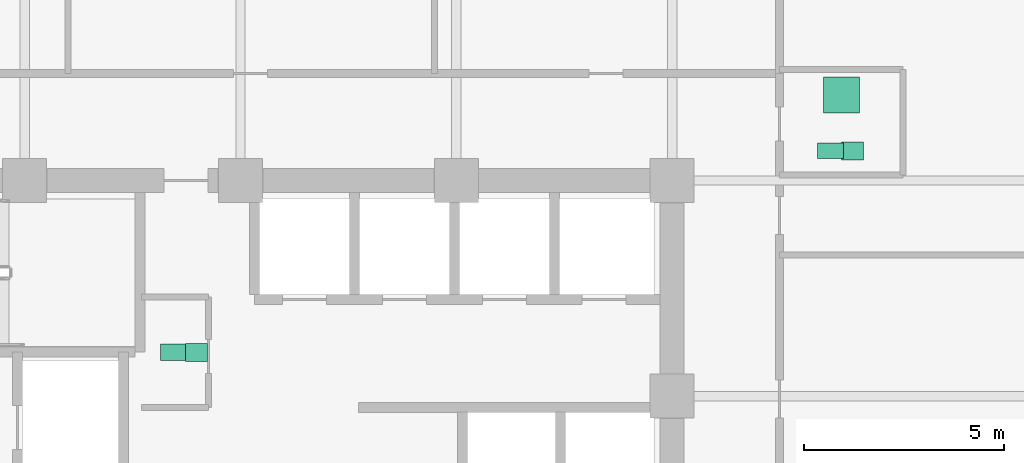
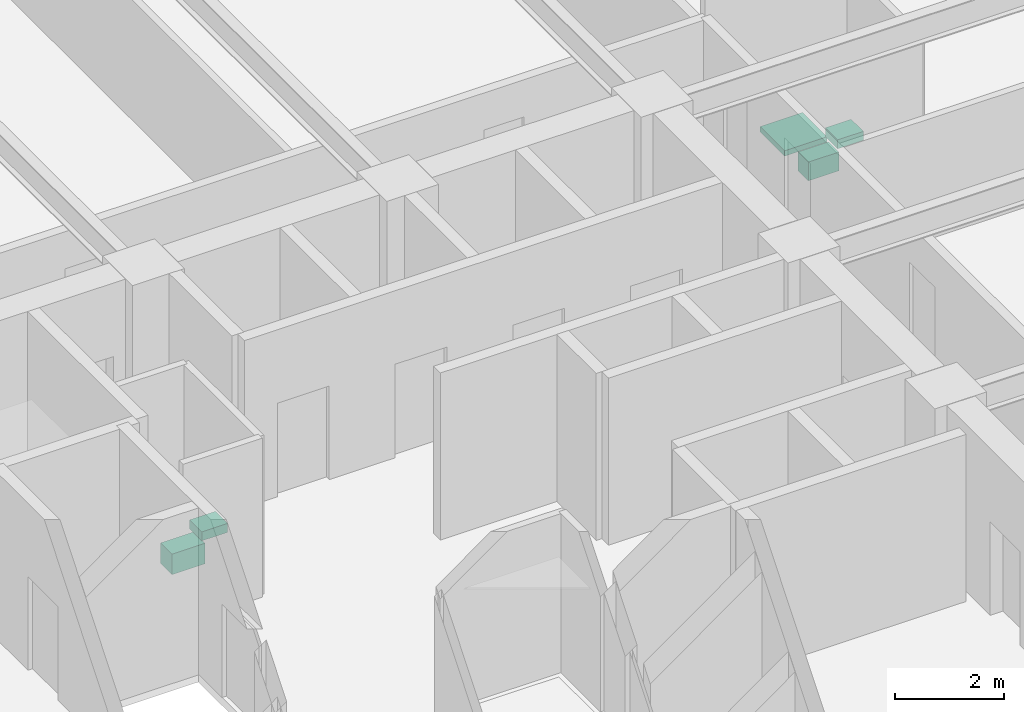
# One storey, part 23 of 23: 5 sanitary terminals.
"""IFC4 building model written with IfcOpenShell, lengths in metres."""

from ifc_helpers import new_model, si_unit, direction, frame, origin, origin_2d, place, context, subcontext, project, spatial, rectangle, extrude, material, type_object, element, save


model = new_model("IFC4")

# Units and contexts
model_context = context("Model", 3, precision=1e-05, world=origin(), true_north=direction((0.0, 1.0)))
body_context = subcontext(model_context, "Body", "Model", "MODEL_VIEW")
ifc_project = project(units=[si_unit("LENGTHUNIT", "METRE"), si_unit("AREAUNIT", "SQUARE_METRE"), si_unit("VOLUMEUNIT", "CUBIC_METRE"), si_unit("PLANEANGLEUNIT", "RADIAN"), si_unit("MASSUNIT", "GRAM", prefix="KILO")], contexts=[model_context])

# Site, building, storey
site_placement = place(None, origin())
site = spatial("IfcSite", under=ifc_project, at=site_placement, CompositionType="ELEMENT")
building_placement = place(site_placement, origin())
building = spatial("IfcBuilding", under=site, at=building_placement, Name="Surkhivell Harbour Commons", CompositionType="ELEMENT")
storey_placement = place(building_placement, frame((0.0, 0.0, 128.25)))
storey = spatial("IfcBuildingStorey", under=building, at=storey_placement, Name="L33", CompositionType="ELEMENT", Elevation=128.25)

# Sanitary terminals
ifc_material_1 = material(Name="Vitreous china washbasin", Category="other")
sanitary_terminal_type_1 = type_object("IfcSanitaryTerminalType", Name="SAN-BSN", PredefinedType="WASHHANDBASIN", material=ifc_material_1)
for number, where, z_axis, x_axis, name in (
    (1, (-1.10009765625, 6.5, 0.72021484375), (0.0, 0.0, 1.0), (1.0, 0.0, 0.0), "L33 Core Accessible WC Washbasin"),
    (2, (15.31005859375, 11.5400390625, 0.72021484375), (0.0, 0.0, 1.0), (1.0, 0.0, 0.0), "L33 East Communal Bathroom WC Washbasin"),
):
    element("IfcSanitaryTerminal", number, at=place(storey_placement, frame(where, z_axis=z_axis, x_axis=x_axis)), inside=storey, type_object=sanitary_terminal_type_1, Name=name, PredefinedType="WASHHANDBASIN", context=body_context, shape_type="SweptSolid", body=[
        extrude(rectangle(XDim=0.550048828125, YDim=0.449951171875, at=origin_2d()), origin(), (0.0, 0.0, 1.0), 0.199951171875),
    ])
ifc_material_2 = material(Name="Glazed porcelain shower tray", Category="other")
sanitary_terminal_type_2 = type_object("IfcSanitaryTerminalType", Name="SAN-SHW", PredefinedType="SHOWER", material=ifc_material_2)
sanitary_terminal_1_placement = place(storey_placement, frame((15.0400390625, 12.93994140625, 0.0), z_axis=(0.0, 0.0, 1.0), x_axis=(1.0, 0.0, 0.0)))
element("IfcSanitaryTerminal", 3, at=sanitary_terminal_1_placement, inside=storey, type_object=sanitary_terminal_type_2, Name="L33 East Communal Shower Tray", PredefinedType="SHOWER", context=body_context, shape_type="SweptSolid", body=[
    extrude(rectangle(XDim=0.89990234375, YDim=0.89990234375, at=origin_2d()), origin(), (0.0, 0.0, 1.0), 0.1201171875),
])
ifc_material_3 = material(Name="Vitreous china sanitaryware", Category="other")
sanitary_terminal_type_3 = type_object("IfcSanitaryTerminalType", Name="SAN-WC-ACC", PredefinedType="TOILETPAN", material=ifc_material_3)
sanitary_terminal_2_placement = place(storey_placement, frame((-1.64990234375, 6.5, 0.169921875), z_axis=(0.0, 0.0, 1.0), x_axis=(1.0, 0.0, 0.0)))
element("IfcSanitaryTerminal", 4, at=sanitary_terminal_2_placement, inside=storey, type_object=sanitary_terminal_type_3, Name="L33 Core Accessible WC", PredefinedType="TOILETPAN", context=body_context, shape_type="SweptSolid", body=[
    extrude(rectangle(XDim=0.699951171875, YDim=0.419921875, at=origin_2d()), origin(), (0.0, 0.0, 1.0), 0.4599609375),
])
sanitary_terminal_type_4 = type_object("IfcSanitaryTerminalType", Name="SAN-WC-STD", PredefinedType="TOILETPAN", material=ifc_material_3)
sanitary_terminal_3_placement = place(storey_placement, frame((14.760009765625, 11.5400390625, 0.18994140625), z_axis=(0.0, 0.0, 1.0), x_axis=(1.0, 0.0, 0.0)))
element("IfcSanitaryTerminal", 5, at=sanitary_terminal_3_placement, inside=storey, type_object=sanitary_terminal_type_4, Name="L33 East Communal Bathroom WC", PredefinedType="TOILETPAN", context=body_context, shape_type="SweptSolid", body=[
    extrude(rectangle(XDim=0.64990234375, YDim=0.3798828125, at=origin_2d()), origin(), (0.0, 0.0, 1.0), 0.419921875),
])

save(model, "model.ifc")
